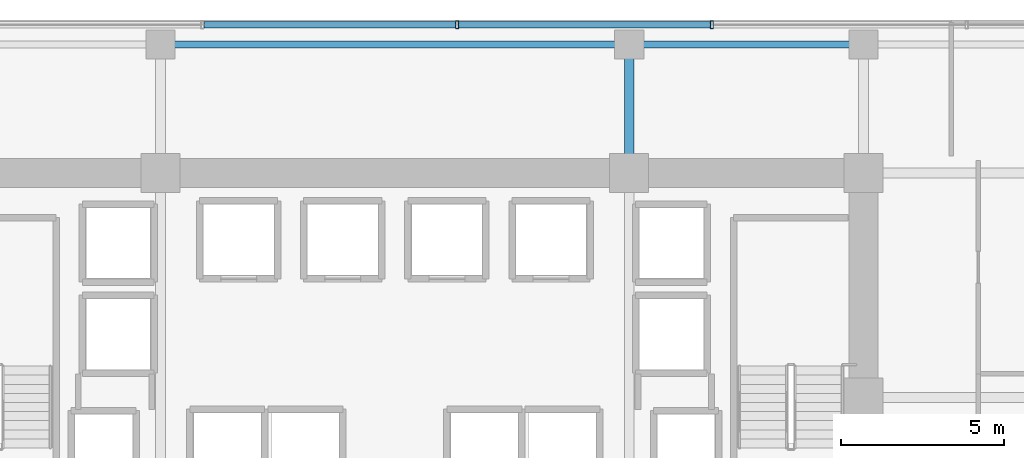
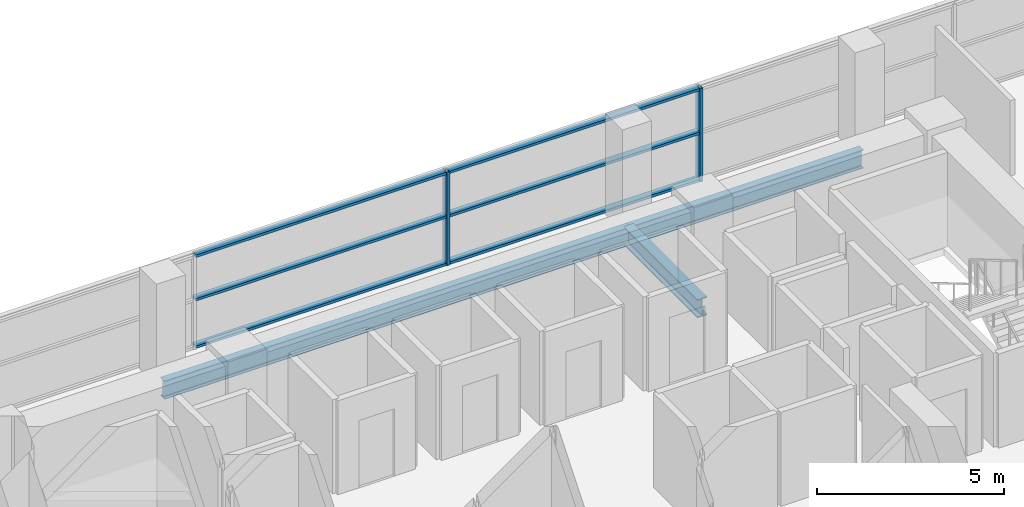
# One storey, part 19 of 30: 8 members, 3 beams, 1 element without a shape of its own.
"""IFC4 building model written with IfcOpenShell, lengths in metres."""

from ifc_helpers import new_model, si_unit, direction, frame, origin, origin_2d, place, context, subcontext, project, spatial, hollow_rectangle, i_section, extrude, source, transform, mapped, material, layer, layer_set, material_profile, profile_set, type_object, element, aggregate, save


model = new_model("IFC4")

# Units and contexts
model_context = context("Model", 3, precision=1e-05, world=origin(), true_north=direction((0.0, 1.0)))
body_context = subcontext(model_context, "Body", "Model", "MODEL_VIEW")
ifc_project = project(units=[si_unit("LENGTHUNIT", "METRE"), si_unit("AREAUNIT", "SQUARE_METRE"), si_unit("VOLUMEUNIT", "CUBIC_METRE"), si_unit("PLANEANGLEUNIT", "RADIAN"), si_unit("MASSUNIT", "GRAM", prefix="KILO")], contexts=[model_context])

# Site, building, storey
site_placement = place(None, origin())
site = spatial("IfcSite", under=ifc_project, at=site_placement, CompositionType="ELEMENT")
building_placement = place(site_placement, origin())
building = spatial("IfcBuilding", under=site, at=building_placement, Name="Zarnakvel Exchange Tower", CompositionType="ELEMENT")
storey_placement = place(building_placement, frame((0.0, 0.0, 34.0)))
storey = spatial("IfcBuildingStorey", under=building, at=storey_placement, Name="L08", CompositionType="ELEMENT", Elevation=34.0)

# Beams
ifc_material_1 = material(Name="Steel S355", Category="steel")
ifc_material_profile_1 = material_profile(ifc_material_1, i_section(OverallWidth=0.300048828125, OverallDepth=0.60009765625, WebThickness=0.015380859375, FlangeThickness=0.030029296875, FilletRadius=0.027099609375, at=origin_2d()))
ifc_profile_set_1 = profile_set([ifc_material_profile_1], Name="Steel S355")
beam_type_1 = type_object("IfcBeamType", Name="G-04", PredefinedType="BEAM", material=ifc_profile_set_1)
beam_1_placement = place(storey_placement, frame((7.199951171875, 13.5, -0.52490234375), z_axis=(0.0, 1.0, 0.0), x_axis=(-1.0, 0.0, 0.0)))
element("IfcBeam", 1, at=beam_1_placement, inside=storey, type_object=beam_type_1, Name="L08 Tower N-S Frame Beam", PredefinedType="BEAM", context=body_context, shape_type="SweptSolid", body=[
    extrude(i_section(OverallWidth=0.300048828125, OverallDepth=0.60009765625, WebThickness=0.015380859375, FlangeThickness=0.030029296875, FilletRadius=0.027099609375, at=origin_2d()), origin(), (0.0, 0.0, 1.0), 3.949951171875),
])
ifc_material_profile_2 = material_profile(ifc_material_1, i_section(OverallWidth=0.219970703125, OverallDepth=0.60009765625, WebThickness=0.011962890625, FlangeThickness=0.01904296875, FilletRadius=0.02392578125, at=origin_2d()))
ifc_profile_set_2 = profile_set([ifc_material_profile_2], Name="Steel S355")
beam_type_2 = type_object("IfcBeamType", Name="SP-01", PredefinedType="SPANDREL", material=ifc_profile_set_2)
beam_2_placement = place(storey_placement, frame((-7.199951171875, 17.449951171875, -0.52490234375), z_axis=(1.0, 0.0, 0.0), x_axis=(0.0, 1.0, 0.0)))
element("IfcBeam", 2, at=beam_2_placement, inside=storey, type_object=beam_type_2, Name="L08 Tower E-W Frame Beam", PredefinedType="SPANDREL", context=body_context, shape_type="SweptSolid", body=[
    extrude(i_section(OverallWidth=0.219970703125, OverallDepth=0.60009765625, WebThickness=0.011962890625, FlangeThickness=0.01904296875, FilletRadius=0.02392578125, at=origin_2d()), origin(), (0.0, 0.0, 1.0), 14.39990234375),
])
beam_3_placement = place(storey_placement, frame((7.199951171875, 17.449951171875, -0.52490234375), z_axis=(1.0, 0.0, 0.0), x_axis=(0.0, 1.0, 0.0)))
element("IfcBeam", 3, at=beam_3_placement, inside=storey, type_object=beam_type_2, Name="L08 Tower E-W Frame Beam", PredefinedType="SPANDREL", context=body_context, shape_type="SweptSolid", body=[
    extrude(i_section(OverallWidth=0.219970703125, OverallDepth=0.60009765625, WebThickness=0.011962890625, FlangeThickness=0.01904296875, FilletRadius=0.02392578125, at=origin_2d()), origin(), (0.0, 0.0, 1.0), 7.199951171875),
])

# Curtain wall, members
ifc_material_2 = material(Name="Architectural Bronze Anodised Aluminium", Category="aluminium")
ifc_layer = layer(ifc_material_2, 0.239990234375)
ifc_layer_set = layer_set([ifc_layer], Name="Architectural Bronze Anodised Aluminium")
curtain_wall_type = type_object("IfcCurtainWallType", Name="CW-02", PredefinedType="NOTDEFINED", material=ifc_layer_set)
curtain_wall_placement = place(storey_placement, origin())
curtain_wall = element("IfcCurtainWall", 4, at=curtain_wall_placement, inside=storey, type_object=curtain_wall_type, Name="L08 Curtain Wall CW-L08-N1 (CW-02)", PredefinedType="NOTDEFINED")
ifc_material_profile_3 = material_profile(ifc_material_2, hollow_rectangle(XDim=0.199951171875, YDim=0.0849609375, WallThickness=0.0048828125, at=origin_2d()))
ifc_profile_set_3 = profile_set([ifc_material_profile_3], Name="Architectural Bronze Anodised Aluminium")
member_type_1 = type_object("IfcMemberType", Name="CWT-02", PredefinedType="USERDEFINED", material=ifc_profile_set_3)
shared_shape_1 = source(origin(), body_context, "Body", "SweptSolid", [
    extrude(hollow_rectangle(XDim=0.199951171875, YDim=0.0849609375, WallThickness=0.0048828125, at=origin_2d()), origin(), (0.0, 0.0, 1.0), 7.738525390625),
])
member_1_placement = place(storey_placement, frame((1.959228515625, 18.06005859375, 0.04248046875), z_axis=(1.0, 0.0, 0.0), x_axis=(0.0, 1.0, 0.0)))
member_1 = element("IfcMember", 5, at=member_1_placement, type_object=member_type_1, Name="CW-02 transom 5.1", ObjectType="TRANSOM", PredefinedType="USERDEFINED", context=body_context, shape_type="MappedRepresentation", body=[
    mapped(shared_shape_1, transform((0.0, 0.0, 0.0), x_axis=(1.0, 0.0, 0.0), y_axis=(0.0, 1.0, 0.0), z_axis=(0.0, 0.0, 1.0), scale=1.0)),
])
member_2_placement = place(storey_placement, frame((1.959228515625, 18.06005859375, 1.588623046875), z_axis=(1.0, 0.0, 0.0), x_axis=(0.0, 1.0, 0.0)))
member_2 = element("IfcMember", 6, at=member_2_placement, type_object=member_type_1, Name="CW-02 transom 5.2", ObjectType="TRANSOM", PredefinedType="USERDEFINED", context=body_context, shape_type="MappedRepresentation", body=[
    mapped(shared_shape_1, transform((0.0, 0.0, 0.0), x_axis=(1.0, 0.0, 0.0), y_axis=(0.0, 1.0, 0.0), z_axis=(0.0, 0.0, 1.0), scale=1.0)),
])
member_3_placement = place(storey_placement, frame((1.959228515625, 18.06005859375, 3.012451171875), z_axis=(1.0, 0.0, 0.0), x_axis=(0.0, 1.0, 0.0)))
member_3 = element("IfcMember", 7, at=member_3_placement, type_object=member_type_1, Name="CW-02 transom 5.3", ObjectType="TRANSOM", PredefinedType="USERDEFINED", context=body_context, shape_type="MappedRepresentation", body=[
    mapped(shared_shape_1, transform((0.0, 0.0, 0.0), x_axis=(1.0, 0.0, 0.0), y_axis=(0.0, 1.0, 0.0), z_axis=(0.0, 0.0, 1.0), scale=1.0)),
])
shared_shape_2 = source(origin(), body_context, "Body", "SweptSolid", [
    extrude(hollow_rectangle(XDim=0.199951171875, YDim=0.0849609375, WallThickness=0.0048828125, at=origin_2d()), origin(), (0.0, 0.0, 1.0), 7.73876953125),
])
member_4_placement = place(storey_placement, frame((-5.869384765625, 18.06005859375, 0.04248046875), z_axis=(1.0, 0.0, 0.0), x_axis=(0.0, 1.0, 0.0)))
member_4 = element("IfcMember", 8, at=member_4_placement, type_object=member_type_1, Name="CW-02 transom 4.1", ObjectType="TRANSOM", PredefinedType="USERDEFINED", context=body_context, shape_type="MappedRepresentation", body=[
    mapped(shared_shape_2, transform((0.0, 0.0, 0.0), x_axis=(1.0, 0.0, 0.0), y_axis=(0.0, 1.0, 0.0), z_axis=(0.0, 0.0, 1.0), scale=1.0)),
])
member_5_placement = place(storey_placement, frame((-5.869384765625, 18.06005859375, 1.588623046875), z_axis=(1.0, 0.0, 0.0), x_axis=(0.0, 1.0, 0.0)))
member_5 = element("IfcMember", 9, at=member_5_placement, type_object=member_type_1, Name="CW-02 transom 4.2", ObjectType="TRANSOM", PredefinedType="USERDEFINED", context=body_context, shape_type="MappedRepresentation", body=[
    mapped(shared_shape_2, transform((0.0, 0.0, 0.0), x_axis=(1.0, 0.0, 0.0), y_axis=(0.0, 1.0, 0.0), z_axis=(0.0, 0.0, 1.0), scale=1.0)),
])
member_6_placement = place(storey_placement, frame((-5.869384765625, 18.06005859375, 3.012451171875), z_axis=(1.0, 0.0, 0.0), x_axis=(0.0, 1.0, 0.0)))
member_6 = element("IfcMember", 10, at=member_6_placement, type_object=member_type_1, Name="CW-02 transom 4.3", ObjectType="TRANSOM", PredefinedType="USERDEFINED", context=body_context, shape_type="MappedRepresentation", body=[
    mapped(shared_shape_2, transform((0.0, 0.0, 0.0), x_axis=(1.0, 0.0, 0.0), y_axis=(0.0, 1.0, 0.0), z_axis=(0.0, 0.0, 1.0), scale=1.0)),
])
ifc_material_profile_4 = material_profile(ifc_material_2, hollow_rectangle(XDim=0.239990234375, YDim=0.090087890625, WallThickness=0.006103515625, at=origin_2d()))
ifc_profile_set_4 = profile_set([ifc_material_profile_4], Name="Architectural Bronze Anodised Aluminium")
member_type_2 = type_object("IfcMemberType", Name="CWM-02", PredefinedType="MULLION", material=ifc_profile_set_4)
shared_shape_3 = source(origin(), body_context, "Body", "SweptSolid", [
    extrude(hollow_rectangle(XDim=0.239990234375, YDim=0.090087890625, WallThickness=0.006103515625, at=origin_2d()), origin(), (0.0, 0.0, 1.0), 3.054931640625),
])
member_7_placement = place(storey_placement, frame((1.914306640625, 18.06005859375, 0.0), z_axis=(0.0, 0.0, 1.0), x_axis=(0.0, 1.0, 0.0)))
member_7 = element("IfcMember", 11, at=member_7_placement, type_object=member_type_2, Name="CW-02 mullion 5", PredefinedType="MULLION", context=body_context, shape_type="MappedRepresentation", body=[
    mapped(shared_shape_3, transform((0.0, 0.0, 0.0), x_axis=(1.0, 0.0, 0.0), y_axis=(0.0, 1.0, 0.0), z_axis=(0.0, 0.0, 1.0), scale=1.0)),
])
member_8_placement = place(storey_placement, frame((9.742919921875, 18.06005859375, 0.0), z_axis=(0.0, 0.0, 1.0), x_axis=(0.0, 1.0, 0.0)))
member_8 = element("IfcMember", 12, at=member_8_placement, type_object=member_type_2, Name="CW-02 mullion 6", PredefinedType="MULLION", context=body_context, shape_type="MappedRepresentation", body=[
    mapped(shared_shape_3, transform((0.0, 0.0, 0.0), x_axis=(1.0, 0.0, 0.0), y_axis=(0.0, 1.0, 0.0), z_axis=(0.0, 0.0, 1.0), scale=1.0)),
])
aggregate(curtain_wall, [member_7, member_8, member_4, member_5, member_6, member_1, member_2, member_3])

save(model, "model.ifc")
